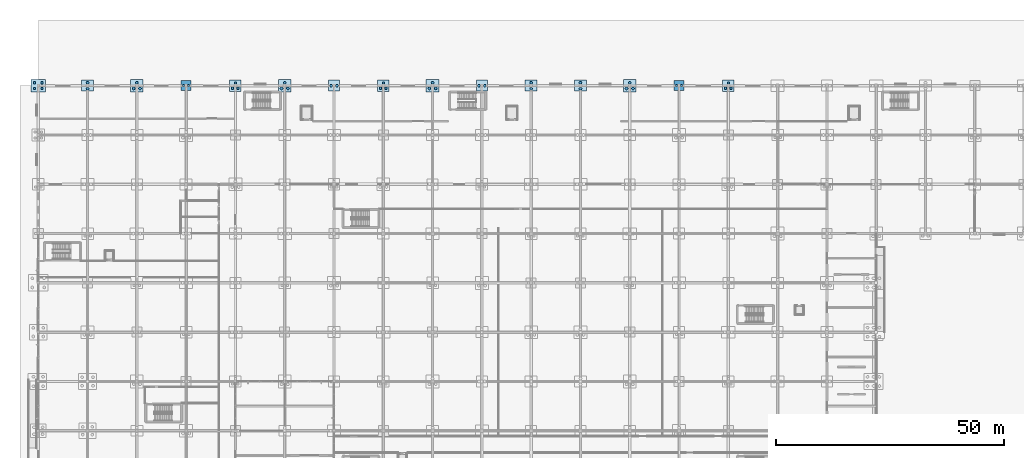
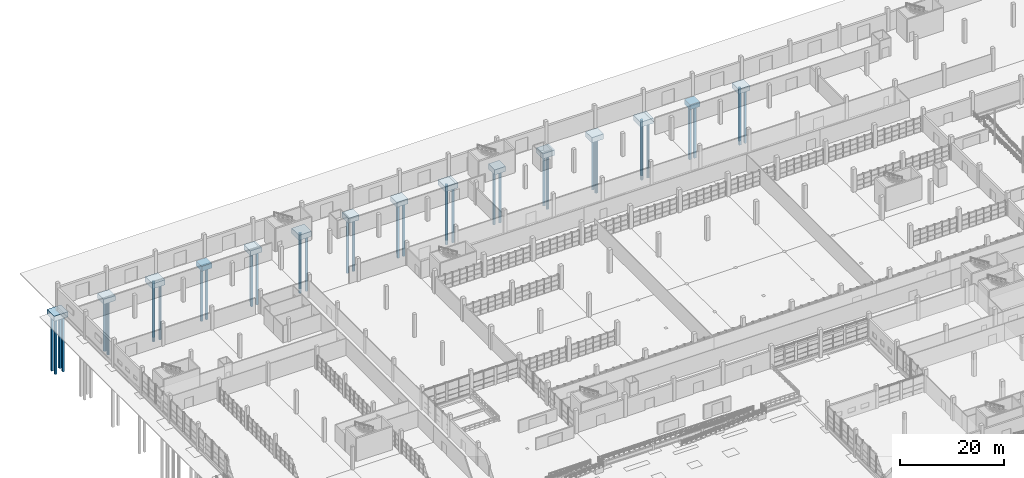
# One storey, part 6 of 138: 39 piles, 15 footings.
"""IFC4 building model written with IfcOpenShell, lengths in metres."""

from ifc_helpers import new_model, si_unit, direction, frame, origin, origin_2d, place, context, subcontext, project, spatial, rectangle, circle, extrude, material, material_profile, profile_set, type_object, element, save


model = new_model("IFC4")

# Units and contexts
model_context = context("Model", 3, precision=1e-05, world=origin(), true_north=direction((0.0, 1.0)))
body_context = subcontext(model_context, "Body", "Model", "MODEL_VIEW")
ifc_project = project(units=[si_unit("LENGTHUNIT", "METRE"), si_unit("AREAUNIT", "SQUARE_METRE"), si_unit("VOLUMEUNIT", "CUBIC_METRE"), si_unit("PLANEANGLEUNIT", "RADIAN"), si_unit("MASSUNIT", "GRAM", prefix="KILO")], contexts=[model_context])

# Site, building, storey
site_placement = place(None, origin())
site = spatial("IfcSite", under=ifc_project, at=site_placement, CompositionType="ELEMENT")
building_placement = place(site_placement, origin())
building = spatial("IfcBuilding", under=site, at=building_placement, Name="Zwinboog Wholesale Market", CompositionType="ELEMENT")
storey_placement = place(building_placement, origin())
storey = spatial("IfcBuildingStorey", under=building, at=storey_placement, Name="L00", CompositionType="ELEMENT", Elevation=0.0)

# Piles
ifc_material_1 = material(Name="Concrete C40/50", Category="concrete")
ifc_material_profile_1 = material_profile(ifc_material_1, circle(Radius=0.300048828125, at=origin_2d()), Name="PILE D600")
ifc_profile_set_1 = profile_set([ifc_material_profile_1], Name="Concrete C40/50")
pile_type_1 = type_object("IfcPileType", Name="PT-BORED-600", PredefinedType="BORED", material=ifc_profile_set_1)
for number, where, z_axis, x_axis, name in (
    (1, (10.800048828125, 128.949951171875, -2.300048828125), (0.0, 0.0, -1.0), (1.0, 0.0, 0.0), "P-01 (PIL-0090)"),
    (2, (10.800048828125, 130.25, -2.300048828125), (0.0, 0.0, -1.0), (1.0, 0.0, 0.0), "P-01 (PIL-0091)"),
):
    element("IfcPile", number, at=place(storey_placement, frame(where, z_axis=z_axis, x_axis=x_axis)), inside=storey, type_object=pile_type_1, Name=name, PredefinedType="BORED", context=body_context, shape_type="SweptSolid", body=[
        extrude(circle(Radius=0.300048828125, at=origin_2d()), origin(), (0.0, 0.0, 1.0), 12.5),
    ])
for number, where, z_axis, x_axis, name in (
    (3, (20.89990234375, 129.0, -2.300048828125), (0.0, 0.0, -1.0), (1.0, 0.0, 0.0), "P-01 (PIL-0120)"),
    (4, (22.300048828125, 129.0, -2.300048828125), (0.0, 0.0, -1.0), (1.0, 0.0, 0.0), "P-01 (PIL-0121)"),
    (5, (21.60009765625, 130.25, -2.300048828125), (0.0, 0.0, -1.0), (1.0, 0.0, 0.0), "P-01 (PIL-0122)"),
    (6, (53.300048828125, 129.0, -2.300048828125), (0.0, 0.0, -1.0), (1.0, 0.0, 0.0), "P-01 (PIL-0204)"),
    (7, (54.699951171875, 129.0, -2.300048828125), (0.0, 0.0, -1.0), (1.0, 0.0, 0.0), "P-01 (PIL-0205)"),
    (8, (54.0, 130.25, -2.300048828125), (0.0, 0.0, -1.0), (1.0, 0.0, 0.0), "P-01 (PIL-0206)"),
):
    element("IfcPile", number, at=place(storey_placement, frame(where, z_axis=z_axis, x_axis=x_axis)), inside=storey, type_object=pile_type_1, Name=name, PredefinedType="BORED", context=body_context, shape_type="SweptSolid", body=[
        extrude(circle(Radius=0.300048828125, at=origin_2d()), origin(), (0.0, 0.0, 1.0), 13.0),
    ])
for number, where, z_axis, x_axis, name in (
    (9, (64.14990234375, 129.60009765625, -2.300048828125), (0.0, 0.0, -1.0), (1.0, 0.0, 0.0), "P-01 (PIL-0228)"),
    (10, (65.449951171875, 129.60009765625, -2.300048828125), (0.0, 0.0, -1.0), (1.0, 0.0, 0.0), "P-01 (PIL-0229)"),
):
    element("IfcPile", number, at=place(storey_placement, frame(where, z_axis=z_axis, x_axis=x_axis)), inside=storey, type_object=pile_type_1, Name=name, PredefinedType="BORED", context=body_context, shape_type="SweptSolid", body=[
        extrude(circle(Radius=0.300048828125, at=origin_2d()), origin(), (0.0, 0.0, 1.0), 12.5),
    ])
for number, where, z_axis, x_axis, name in (
    (11, (85.699951171875, 129.0, -2.300048828125), (0.0, 0.0, -1.0), (1.0, 0.0, 0.0), "P-01 (PIL-0274)"),
    (12, (87.10009765625, 129.0, -2.300048828125), (0.0, 0.0, -1.0), (1.0, 0.0, 0.0), "P-01 (PIL-0275)"),
    (13, (86.39990234375, 130.25, -2.300048828125), (0.0, 0.0, -1.0), (1.0, 0.0, 0.0), "P-01 (PIL-0276)"),
):
    element("IfcPile", number, at=place(storey_placement, frame(where, z_axis=z_axis, x_axis=x_axis)), inside=storey, type_object=pile_type_1, Name=name, PredefinedType="BORED", context=body_context, shape_type="SweptSolid", body=[
        extrude(circle(Radius=0.300048828125, at=origin_2d()), origin(), (0.0, 0.0, 1.0), 13.0),
    ])
for number, where, z_axis, x_axis, name in (
    (14, (96.550048828125, 129.60009765625, -2.300048828125), (0.0, 0.0, -1.0), (1.0, 0.0, 0.0), "P-01 (PIL-0298)"),
    (15, (97.85009765625, 129.60009765625, -2.300048828125), (0.0, 0.0, -1.0), (1.0, 0.0, 0.0), "P-01 (PIL-0299)"),
    (16, (108.0, 128.949951171875, -2.300048828125), (0.0, 0.0, -1.0), (1.0, 0.0, 0.0), "P-01 (PIL-0328)"),
    (17, (108.0, 130.25, -2.300048828125), (0.0, 0.0, -1.0), (1.0, 0.0, 0.0), "P-01 (PIL-0329)"),
    (18, (118.800048828125, 128.949951171875, -2.300048828125), (0.0, 0.0, -1.0), (1.0, 0.0, 0.0), "P-01 (PIL-0356)"),
    (19, (118.800048828125, 130.25, -2.300048828125), (0.0, 0.0, -1.0), (1.0, 0.0, 0.0), "P-01 (PIL-0357)"),
):
    element("IfcPile", number, at=place(storey_placement, frame(where, z_axis=z_axis, x_axis=x_axis)), inside=storey, type_object=pile_type_1, Name=name, PredefinedType="BORED", context=body_context, shape_type="SweptSolid", body=[
        extrude(circle(Radius=0.300048828125, at=origin_2d()), origin(), (0.0, 0.0, 1.0), 12.5),
    ])
for number, where, z_axis, x_axis, name in (
    (20, (128.89990234375, 129.0, -2.300048828125), (0.0, 0.0, -1.0), (1.0, 0.0, 0.0), "P-01 (PIL-0386)"),
    (21, (130.300048828125, 129.0, -2.300048828125), (0.0, 0.0, -1.0), (1.0, 0.0, 0.0), "P-01 (PIL-0387)"),
    (22, (129.60009765625, 130.25, -2.300048828125), (0.0, 0.0, -1.0), (1.0, 0.0, 0.0), "P-01 (PIL-0388)"),
):
    element("IfcPile", number, at=place(storey_placement, frame(where, z_axis=z_axis, x_axis=x_axis)), inside=storey, type_object=pile_type_1, Name=name, PredefinedType="BORED", context=body_context, shape_type="SweptSolid", body=[
        extrude(circle(Radius=0.300048828125, at=origin_2d()), origin(), (0.0, 0.0, 1.0), 13.0),
    ])
ifc_material_profile_2 = material_profile(ifc_material_1, rectangle(XDim=0.449951171875, YDim=0.449951171875, at=origin_2d()), Name="PILE SQ450")
ifc_profile_set_2 = profile_set([ifc_material_profile_2], Name="Concrete C40/50")
pile_type_2 = type_object("IfcPileType", Name="PT-DRIVEN-450", PredefinedType="DRIVEN", material=ifc_profile_set_2)
for number, where, z_axis, x_axis, name in (
    (23, (-0.85009765625, 128.949951171875, -2.300048828125), (0.0, 0.0, -1.0), (1.0, 0.0, 0.0), "P-02 (PIL-0044)"),
    (24, (0.85009765625, 128.949951171875, -2.300048828125), (0.0, 0.0, -1.0), (1.0, 0.0, 0.0), "P-02 (PIL-0045)"),
    (25, (-0.85009765625, 130.25, -2.300048828125), (0.0, 0.0, -1.0), (1.0, 0.0, 0.0), "P-02 (PIL-0046)"),
    (26, (0.85009765625, 130.25, -2.300048828125), (0.0, 0.0, -1.0), (1.0, 0.0, 0.0), "P-02 (PIL-0047)"),
):
    element("IfcPile", number, at=place(storey_placement, frame(where, z_axis=z_axis, x_axis=x_axis)), inside=storey, type_object=pile_type_2, Name=name, PredefinedType="DRIVEN", context=body_context, shape_type="SweptSolid", body=[
        extrude(rectangle(XDim=0.449951171875, YDim=0.449951171875, at=origin_2d()), origin(), (0.0, 0.0, 1.0), 13.0),
    ])
for number, where, z_axis, x_axis, name in (
    (27, (31.85009765625, 129.60009765625, -2.25), (0.0, 0.0, -1.0), (1.0, 0.0, 0.0), "P-02 (PIL-0151)"),
    (28, (32.949951171875, 129.60009765625, -2.25), (0.0, 0.0, -1.0), (1.0, 0.0, 0.0), "P-02 (PIL-0152)"),
    (29, (42.60009765625, 129.050048828125, -2.25), (0.0, 0.0, -1.0), (1.0, 0.0, 0.0), "P-02 (PIL-0181)"),
    (30, (43.800048828125, 129.050048828125, -2.25), (0.0, 0.0, -1.0), (1.0, 0.0, 0.0), "P-02 (PIL-0182)"),
    (31, (43.199951171875, 130.199951171875, -2.25), (0.0, 0.0, -1.0), (1.0, 0.0, 0.0), "P-02 (PIL-0183)"),
    (32, (75.0, 129.050048828125, -2.25), (0.0, 0.0, -1.0), (1.0, 0.0, 0.0), "P-02 (PIL-0251)"),
    (33, (76.199951171875, 129.050048828125, -2.25), (0.0, 0.0, -1.0), (1.0, 0.0, 0.0), "P-02 (PIL-0252)"),
    (34, (75.60009765625, 130.199951171875, -2.25), (0.0, 0.0, -1.0), (1.0, 0.0, 0.0), "P-02 (PIL-0253)"),
    (35, (139.85009765625, 129.60009765625, -2.25), (0.0, 0.0, -1.0), (1.0, 0.0, 0.0), "P-02 (PIL-0417)"),
    (36, (140.949951171875, 129.60009765625, -2.25), (0.0, 0.0, -1.0), (1.0, 0.0, 0.0), "P-02 (PIL-0418)"),
    (37, (150.60009765625, 129.050048828125, -2.25), (0.0, 0.0, -1.0), (1.0, 0.0, 0.0), "P-02 (PIL-0447)"),
    (38, (151.800048828125, 129.050048828125, -2.25), (0.0, 0.0, -1.0), (1.0, 0.0, 0.0), "P-02 (PIL-0448)"),
    (39, (151.199951171875, 130.199951171875, -2.25), (0.0, 0.0, -1.0), (1.0, 0.0, 0.0), "P-02 (PIL-0449)"),
):
    element("IfcPile", number, at=place(storey_placement, frame(where, z_axis=z_axis, x_axis=x_axis)), inside=storey, type_object=pile_type_2, Name=name, PredefinedType="DRIVEN", context=body_context, shape_type="SweptSolid", body=[
        extrude(rectangle(XDim=0.449951171875, YDim=0.449951171875, at=origin_2d()), origin(), (0.0, 0.0, 1.0), 12.5),
    ])

# Footings
ifc_material_2 = material(Name="Concrete C35/45", Category="concrete")
footing_type_1 = type_object("IfcFootingType", Name="FT-PC-01", PredefinedType="PILE_CAP", material=ifc_material_2)
for number, where, z_axis, x_axis, name in (
    (40, (64.800048828125, 129.60009765625, -2.39990234375), (0.0, 0.0, 1.0), (1.0, 0.0, 0.0), "FC-01 (FND-PC-085)"),
    (41, (97.199951171875, 129.60009765625, -2.39990234375), (0.0, 0.0, 1.0), (1.0, 0.0, 0.0), "FC-01 (FND-PC-115)"),
):
    element("IfcFooting", number, at=place(storey_placement, frame(where, z_axis=z_axis, x_axis=x_axis)), inside=storey, type_object=footing_type_1, Name=name, PredefinedType="PILE_CAP", context=body_context, shape_type="SweptSolid", body=[
        extrude(rectangle(XDim=2.39990234375, YDim=2.39990234375, at=origin_2d()), origin(), (0.0, 0.0, 1.0), 1.199951171875),
    ])
footing_type_2 = type_object("IfcFootingType", Name="FT-PC-02", PredefinedType="PILE_CAP", material=ifc_material_2)
for number, where, z_axis, x_axis, name in (
    (42, (10.800048828125, 129.60009765625, -2.39990234375), (0.0, 0.0, 1.0), (1.0, 0.0, 0.0), "FC-02 (FND-PC-026)"),
    (43, (108.0, 129.60009765625, -2.39990234375), (0.0, 0.0, 1.0), (1.0, 0.0, 0.0), "FC-02 (FND-PC-128)"),
    (44, (118.800048828125, 129.60009765625, -2.39990234375), (0.0, 0.0, 1.0), (1.0, 0.0, 0.0), "FC-02 (FND-PC-140)"),
):
    element("IfcFooting", number, at=place(storey_placement, frame(where, z_axis=z_axis, x_axis=x_axis)), inside=storey, type_object=footing_type_2, Name=name, PredefinedType="PILE_CAP", context=body_context, shape_type="SweptSolid", body=[
        extrude(rectangle(XDim=2.60009765625, YDim=2.39990234375, at=origin_2d()), origin(), (0.0, 0.0, 1.0), 1.199951171875),
    ])
footing_type_3 = type_object("IfcFootingType", Name="FT-PC-03", PredefinedType="PILE_CAP", material=ifc_material_2)
for number, where, z_axis, x_axis, name in (
    (45, (21.60009765625, 129.60009765625, -2.39990234375), (0.0, 0.0, 1.0), (1.0, 0.0, 0.0), "FC-03 (FND-PC-039)"),
    (46, (54.0, 129.60009765625, -2.39990234375), (0.0, 0.0, 1.0), (1.0, 0.0, 0.0), "FC-03 (FND-PC-075)"),
    (47, (86.39990234375, 129.60009765625, -2.39990234375), (0.0, 0.0, 1.0), (1.0, 0.0, 0.0), "FC-03 (FND-PC-105)"),
    (48, (129.60009765625, 129.60009765625, -2.39990234375), (0.0, 0.0, 1.0), (1.0, 0.0, 0.0), "FC-03 (FND-PC-153)"),
):
    element("IfcFooting", number, at=place(storey_placement, frame(where, z_axis=z_axis, x_axis=x_axis)), inside=storey, type_object=footing_type_3, Name=name, PredefinedType="PILE_CAP", context=body_context, shape_type="SweptSolid", body=[
        extrude(rectangle(XDim=2.800048828125, YDim=2.800048828125, at=origin_2d()), origin(), (0.0, 0.0, 1.0), 1.199951171875),
    ])
footing_type_4 = type_object("IfcFootingType", Name="FT-PC-10", PredefinedType="PILE_CAP", material=ifc_material_2)
for number, where, z_axis, x_axis, name in (
    (49, (32.39990234375, 129.60009765625, -2.349853515625), (0.0, 0.0, 1.0), (1.0, 0.0, 0.0), "FC-10 (FND-PC-052)"),
    (50, (140.39990234375, 129.60009765625, -2.349853515625), (0.0, 0.0, 1.0), (1.0, 0.0, 0.0), "FC-10 (FND-PC-166)"),
):
    element("IfcFooting", number, at=place(storey_placement, frame(where, z_axis=z_axis, x_axis=x_axis)), inside=storey, type_object=footing_type_4, Name=name, PredefinedType="PILE_CAP", context=body_context, shape_type="SweptSolid", body=[
        extrude(rectangle(XDim=2.199951171875, YDim=2.199951171875, at=origin_2d()), origin(), (0.0, 0.0, 1.0), 1.14990234375),
    ])
footing_type_5 = type_object("IfcFootingType", Name="FT-PC-11", PredefinedType="PILE_CAP", material=ifc_material_2)
for number, where, z_axis, x_axis, name in (
    (51, (43.199951171875, 129.60009765625, -2.349853515625), (0.0, 0.0, 1.0), (1.0, 0.0, 0.0), "FC-11 (FND-PC-065)"),
    (52, (75.60009765625, 129.60009765625, -2.349853515625), (0.0, 0.0, 1.0), (1.0, 0.0, 0.0), "FC-11 (FND-PC-095)"),
    (53, (151.199951171875, 129.60009765625, -2.349853515625), (0.0, 0.0, 1.0), (1.0, 0.0, 0.0), "FC-11 (FND-PC-179)"),
):
    element("IfcFooting", number, at=place(storey_placement, frame(where, z_axis=z_axis, x_axis=x_axis)), inside=storey, type_object=footing_type_5, Name=name, PredefinedType="PILE_CAP", context=body_context, shape_type="SweptSolid", body=[
        extrude(rectangle(XDim=2.5, YDim=2.5, at=origin_2d()), origin(), (0.0, 0.0, 1.0), 1.14990234375),
    ])
footing_type_6 = type_object("IfcFootingType", Name="FT-PC-13", PredefinedType="PILE_CAP", material=ifc_material_2)
footing_placement = place(storey_placement, frame((0.0, 129.60009765625, -2.39990234375), z_axis=(0.0, 0.0, 1.0), x_axis=(1.0, 0.0, 0.0)))
element("IfcFooting", 54, at=footing_placement, inside=storey, type_object=footing_type_6, Name="FC-13 (FND-PC-013)", PredefinedType="PILE_CAP", context=body_context, shape_type="SweptSolid", body=[
    extrude(rectangle(XDim=3.10009765625, YDim=2.699951171875, at=origin_2d()), origin(), (0.0, 0.0, 1.0), 1.199951171875),
])

save(model, "model.ifc")
